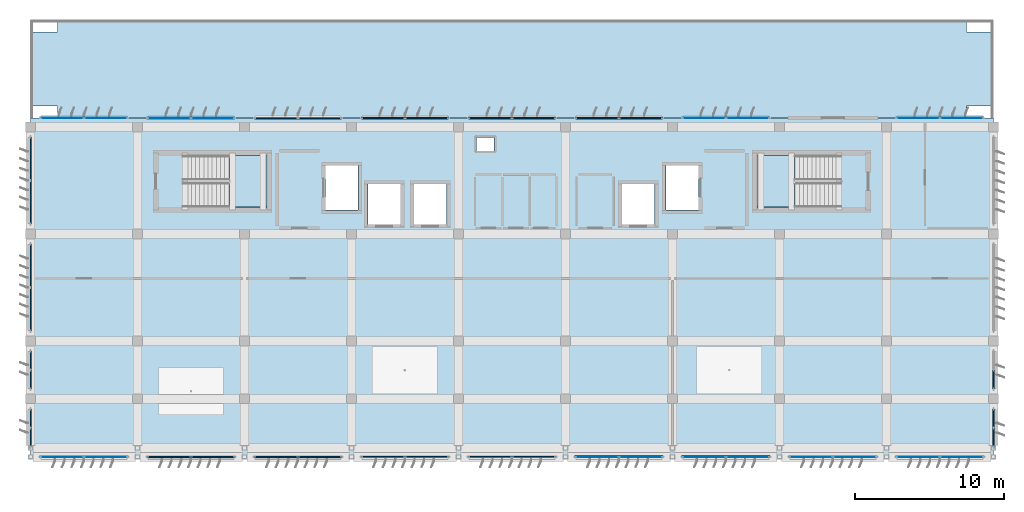
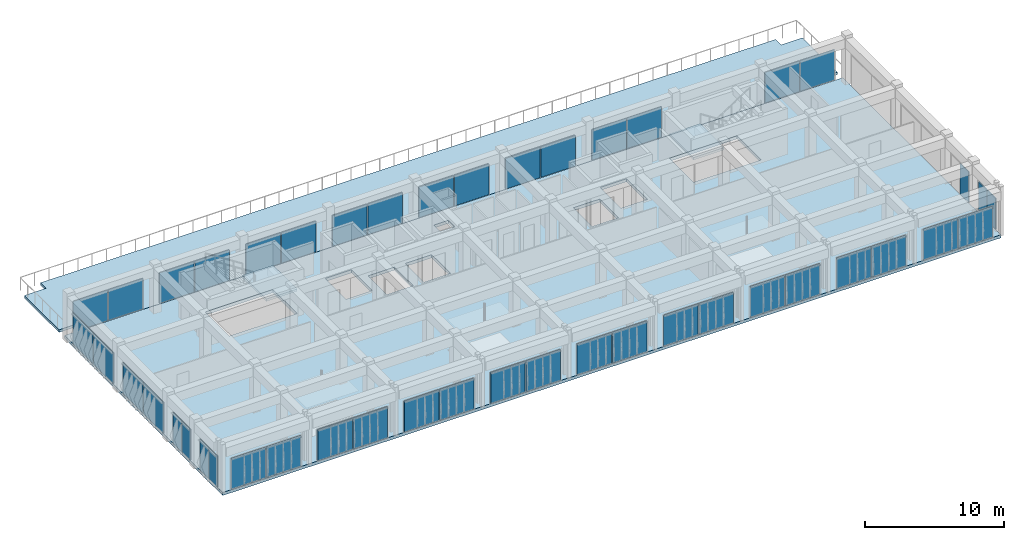
# One storey, part 27 of 42: 45 plates, 4 slabs, 25 elements without a shape of their own.
"""IFC4 building model written with IfcOpenShell, lengths in metres."""

from ifc_helpers import new_model, si_unit, direction, frame, origin, origin_2d, place, context, subcontext, project, spatial, polyline, rectangle, outline, extrude, material, layer, layer_set, type_object, element, aggregate, save


model = new_model("IFC4")

# Units and contexts
model_context = context("Model", 3, precision=1e-05, world=origin(), true_north=direction((0.0, 1.0)))
body_context = subcontext(model_context, "Body", "Model", "MODEL_VIEW")
ifc_project = project(units=[si_unit("LENGTHUNIT", "METRE"), si_unit("AREAUNIT", "SQUARE_METRE"), si_unit("VOLUMEUNIT", "CUBIC_METRE"), si_unit("PLANEANGLEUNIT", "RADIAN"), si_unit("MASSUNIT", "GRAM", prefix="KILO")], contexts=[model_context])

# Site, building, storey
site_placement = place(None, origin())
site = spatial("IfcSite", under=ifc_project, at=site_placement, CompositionType="ELEMENT")
building_placement = place(site_placement, origin())
building = spatial("IfcBuilding", under=site, at=building_placement, Name="Kazehaya Institute of Natural Sciences", CompositionType="ELEMENT")
storey_placement = place(building_placement, frame((0.0, 0.0, 37.6201171875)))
storey = spatial("IfcBuildingStorey", under=building, at=storey_placement, Name="L08", CompositionType="ELEMENT", Elevation=37.6201171875)

# Curtain wall, plates
ifc_material_1 = material(Name="Aluminium alloy A6063S-T5", Category="aluminium")
curtain_wall_type_1 = type_object("IfcCurtainWallType", Name="CW-SYS-05", PredefinedType="NOTDEFINED", material=ifc_material_1)
curtain_wall_1_placement = place(storey_placement, origin())
curtain_wall_1 = element("IfcCurtainWall", 1, at=curtain_wall_1_placement, inside=storey, type_object=curtain_wall_type_1, Name="L08 unitised curtain wall CW-L08-176", PredefinedType="NOTDEFINED")
ifc_material_2 = material(Name="Low-E double-glazed vision glass", Category="glass")
ifc_layer_1 = layer(ifc_material_2, 0.030029296875, Name="Low-E double-glazed vision glass", Category="glass")
ifc_layer_set_1 = layer_set([ifc_layer_1], Name="Low-E double-glazed vision glass")
plate_type_1 = type_object("IfcPlateType", Name="CWP-01", PredefinedType="CURTAIN_PANEL", material=ifc_layer_set_1)
plate_1_placement = place(storey_placement, frame((117.264892578125, 6.199951171875, 0.06005859375), z_axis=(0.0, 0.0, 1.0), x_axis=(-1.0, 0.0, 0.0)))
plate_1 = element("IfcPlate", 2, at=plate_1_placement, type_object=plate_type_1, Name="CW05 panel 1.1", PredefinedType="CURTAIN_PANEL", context=body_context, shape_type="SweptSolid", body=[
    extrude(rectangle(XDim=2.8701171875, YDim=0.030029296875, at=origin_2d()), origin(), (0.0, 0.0, 1.0), 2.699951171875),
])
plate_2_placement = place(storey_placement, frame((114.3349609375, 6.199951171875, 0.06005859375), z_axis=(0.0, 0.0, 1.0), x_axis=(-1.0, 0.0, 0.0)))
plate_2 = element("IfcPlate", 3, at=plate_2_placement, type_object=plate_type_1, Name="CW05 panel 2.1", PredefinedType="CURTAIN_PANEL", context=body_context, shape_type="SweptSolid", body=[
    extrude(rectangle(XDim=2.8701171875, YDim=0.030029296875, at=origin_2d()), origin(), (0.0, 0.0, 1.0), 2.699951171875),
])
aggregate(curtain_wall_1, [plate_1, plate_2])

curtain_wall_2_placement = place(storey_placement, origin())
curtain_wall_2 = element("IfcCurtainWall", 4, at=curtain_wall_2_placement, inside=storey, type_object=curtain_wall_type_1, Name="L08 unitised curtain wall CW-L08-184", PredefinedType="NOTDEFINED")
plate_3_placement = place(storey_placement, frame((59.6650390625, 6.199951171875, 0.06005859375), z_axis=(0.0, 0.0, 1.0), x_axis=(-1.0, 0.0, 0.0)))
plate_3 = element("IfcPlate", 5, at=plate_3_placement, type_object=plate_type_1, Name="CW05 panel 1.1", PredefinedType="CURTAIN_PANEL", context=body_context, shape_type="SweptSolid", body=[
    extrude(rectangle(XDim=2.8701171875, YDim=0.030029296875, at=origin_2d()), origin(), (0.0, 0.0, 1.0), 2.699951171875),
])
plate_4_placement = place(storey_placement, frame((56.735107421875, 6.199951171875, 0.06005859375), z_axis=(0.0, 0.0, 1.0), x_axis=(-1.0, 0.0, 0.0)))
plate_4 = element("IfcPlate", 6, at=plate_4_placement, type_object=plate_type_1, Name="CW05 panel 2.1", PredefinedType="CURTAIN_PANEL", context=body_context, shape_type="SweptSolid", body=[
    extrude(rectangle(XDim=2.8701171875, YDim=0.030029296875, at=origin_2d()), origin(), (0.0, 0.0, 1.0), 2.699951171875),
])
aggregate(curtain_wall_2, [plate_3, plate_4])

curtain_wall_3_placement = place(storey_placement, origin())
curtain_wall_3 = element("IfcCurtainWall", 7, at=curtain_wall_3_placement, inside=storey, type_object=curtain_wall_type_1, Name="L08 unitised curtain wall CW-L08-191", PredefinedType="NOTDEFINED")
plate_5_placement = place(storey_placement, frame((99.93505859375, 29.0, 0.06005859375), z_axis=(0.0, 0.0, 1.0), x_axis=(1.0, 0.0, 0.0)))
plate_5 = element("IfcPlate", 8, at=plate_5_placement, type_object=plate_type_1, Name="CW05 panel 1.1", PredefinedType="CURTAIN_PANEL", context=body_context, shape_type="SweptSolid", body=[
    extrude(rectangle(XDim=2.8701171875, YDim=0.030029296875, at=origin_2d()), origin(), (0.0, 0.0, 1.0), 2.699951171875),
])
plate_6_placement = place(storey_placement, frame((102.864990234375, 29.0, 0.06005859375), z_axis=(0.0, 0.0, 1.0), x_axis=(1.0, 0.0, 0.0)))
plate_6 = element("IfcPlate", 9, at=plate_6_placement, type_object=plate_type_1, Name="CW05 panel 2.1", PredefinedType="CURTAIN_PANEL", context=body_context, shape_type="SweptSolid", body=[
    extrude(rectangle(XDim=2.8701171875, YDim=0.030029296875, at=origin_2d()), origin(), (0.0, 0.0, 1.0), 2.699951171875),
])
aggregate(curtain_wall_3, [plate_5, plate_6])

curtain_wall_4_placement = place(storey_placement, origin())
curtain_wall_4 = element("IfcCurtainWall", 10, at=curtain_wall_4_placement, inside=storey, type_object=curtain_wall_type_1, Name="L08 unitised curtain wall CW-L08-177", PredefinedType="NOTDEFINED")
ifc_layer_2 = layer(ifc_material_2, 0.0400390625, Name="Low-E double-glazed vision glass", Category="glass")
ifc_layer_set_2 = layer_set([ifc_layer_2], Name="Low-E double-glazed vision glass")
plate_type_2 = type_object("IfcPlateType", Name="CWP-02", PredefinedType="CURTAIN_PANEL", material=ifc_layer_set_2)
plate_7_placement = place(storey_placement, frame((110.06494140625, 6.199951171875, 0.06005859375), z_axis=(0.0, 0.0, 1.0), x_axis=(-1.0, 0.0, 0.0)))
plate_7 = element("IfcPlate", 11, at=plate_7_placement, type_object=plate_type_2, Name="CW05 panel 1.1", PredefinedType="CURTAIN_PANEL", context=body_context, shape_type="SweptSolid", body=[
    extrude(rectangle(XDim=2.8701171875, YDim=0.0400390625, at=origin_2d()), origin(), (0.0, 0.0, 1.0), 2.699951171875),
])
plate_8_placement = place(storey_placement, frame((107.135009765625, 6.199951171875, 0.06005859375), z_axis=(0.0, 0.0, 1.0), x_axis=(-1.0, 0.0, 0.0)))
plate_8 = element("IfcPlate", 12, at=plate_8_placement, type_object=plate_type_2, Name="CW05 panel 2.1", PredefinedType="CURTAIN_PANEL", context=body_context, shape_type="SweptSolid", body=[
    extrude(rectangle(XDim=2.8701171875, YDim=0.0400390625, at=origin_2d()), origin(), (0.0, 0.0, 1.0), 2.699951171875),
])
aggregate(curtain_wall_4, [plate_7, plate_8])

curtain_wall_5_placement = place(storey_placement, origin())
curtain_wall_5 = element("IfcCurtainWall", 13, at=curtain_wall_5_placement, inside=storey, type_object=curtain_wall_type_1, Name="L08 unitised curtain wall CW-L08-178", PredefinedType="NOTDEFINED")
ifc_layer_3 = layer(ifc_material_2, 0.050048828125, Name="Low-E double-glazed vision glass", Category="glass")
ifc_layer_set_3 = layer_set([ifc_layer_3], Name="Low-E double-glazed vision glass")
plate_type_3 = type_object("IfcPlateType", Name="CWP-03", PredefinedType="CURTAIN_PANEL", material=ifc_layer_set_3)
plate_9_placement = place(storey_placement, frame((102.864990234375, 6.199951171875, 0.06005859375), z_axis=(0.0, 0.0, 1.0), x_axis=(-1.0, 0.0, 0.0)))
plate_9 = element("IfcPlate", 14, at=plate_9_placement, type_object=plate_type_3, Name="CW05 panel 1.1", PredefinedType="CURTAIN_PANEL", context=body_context, shape_type="SweptSolid", body=[
    extrude(rectangle(XDim=2.8701171875, YDim=0.050048828125, at=origin_2d()), origin(), (0.0, 0.0, 1.0), 2.699951171875),
])
plate_10_placement = place(storey_placement, frame((99.93505859375, 6.199951171875, 0.06005859375), z_axis=(0.0, 0.0, 1.0), x_axis=(-1.0, 0.0, 0.0)))
plate_10 = element("IfcPlate", 15, at=plate_10_placement, type_object=plate_type_3, Name="CW05 panel 2.1", PredefinedType="CURTAIN_PANEL", context=body_context, shape_type="SweptSolid", body=[
    extrude(rectangle(XDim=2.8701171875, YDim=0.050048828125, at=origin_2d()), origin(), (0.0, 0.0, 1.0), 2.699951171875),
])
aggregate(curtain_wall_5, [plate_9, plate_10])

curtain_wall_6_placement = place(storey_placement, origin())
curtain_wall_6 = element("IfcCurtainWall", 16, at=curtain_wall_6_placement, inside=storey, type_object=curtain_wall_type_1, Name="L08 unitised curtain wall CW-L08-185", PredefinedType="NOTDEFINED")
plate_11_placement = place(storey_placement, frame((56.735107421875, 29.0, 0.06005859375), z_axis=(0.0, 0.0, 1.0), x_axis=(1.0, 0.0, 0.0)))
plate_11 = element("IfcPlate", 17, at=plate_11_placement, type_object=plate_type_3, Name="CW05 panel 1.1", PredefinedType="CURTAIN_PANEL", context=body_context, shape_type="SweptSolid", body=[
    extrude(rectangle(XDim=2.8701171875, YDim=0.050048828125, at=origin_2d()), origin(), (0.0, 0.0, 1.0), 2.699951171875),
])
plate_12_placement = place(storey_placement, frame((59.6650390625, 29.0, 0.06005859375), z_axis=(0.0, 0.0, 1.0), x_axis=(1.0, 0.0, 0.0)))
plate_12 = element("IfcPlate", 18, at=plate_12_placement, type_object=plate_type_3, Name="CW05 panel 2.1", PredefinedType="CURTAIN_PANEL", context=body_context, shape_type="SweptSolid", body=[
    extrude(rectangle(XDim=2.8701171875, YDim=0.050048828125, at=origin_2d()), origin(), (0.0, 0.0, 1.0), 2.699951171875),
])
aggregate(curtain_wall_6, [plate_11, plate_12])

curtain_wall_7_placement = place(storey_placement, origin())
curtain_wall_7 = element("IfcCurtainWall", 19, at=curtain_wall_7_placement, inside=storey, type_object=curtain_wall_type_1, Name="L08 unitised curtain wall CW-L08-192", PredefinedType="NOTDEFINED")
plate_13_placement = place(storey_placement, frame((114.3349609375, 29.0, 0.06005859375), z_axis=(0.0, 0.0, 1.0), x_axis=(1.0, 0.0, 0.0)))
plate_13 = element("IfcPlate", 20, at=plate_13_placement, type_object=plate_type_3, Name="CW05 panel 1.1", PredefinedType="CURTAIN_PANEL", context=body_context, shape_type="SweptSolid", body=[
    extrude(rectangle(XDim=2.8701171875, YDim=0.050048828125, at=origin_2d()), origin(), (0.0, 0.0, 1.0), 2.699951171875),
])
plate_14_placement = place(storey_placement, frame((117.264892578125, 29.0, 0.06005859375), z_axis=(0.0, 0.0, 1.0), x_axis=(1.0, 0.0, 0.0)))
plate_14 = element("IfcPlate", 21, at=plate_14_placement, type_object=plate_type_3, Name="CW05 panel 2.1", PredefinedType="CURTAIN_PANEL", context=body_context, shape_type="SweptSolid", body=[
    extrude(rectangle(XDim=2.8701171875, YDim=0.050048828125, at=origin_2d()), origin(), (0.0, 0.0, 1.0), 2.699951171875),
])
aggregate(curtain_wall_7, [plate_13, plate_14])

curtain_wall_8_placement = place(storey_placement, origin())
curtain_wall_8 = element("IfcCurtainWall", 22, at=curtain_wall_8_placement, inside=storey, type_object=curtain_wall_type_1, Name="L08 unitised curtain wall CW-L08-179", PredefinedType="NOTDEFINED")
ifc_layer_4 = layer(ifc_material_2, 0.06005859375, Name="Low-E double-glazed vision glass", Category="glass")
ifc_layer_set_4 = layer_set([ifc_layer_4], Name="Low-E double-glazed vision glass")
plate_type_4 = type_object("IfcPlateType", Name="CWP-04", PredefinedType="CURTAIN_PANEL", material=ifc_layer_set_4)
plate_15_placement = place(storey_placement, frame((95.6650390625, 6.199951171875, 0.06005859375), z_axis=(0.0, 0.0, 1.0), x_axis=(-1.0, 0.0, 0.0)))
plate_15 = element("IfcPlate", 23, at=plate_15_placement, type_object=plate_type_4, Name="CW05 panel 1.1", PredefinedType="CURTAIN_PANEL", context=body_context, shape_type="SweptSolid", body=[
    extrude(rectangle(XDim=2.8701171875, YDim=0.06005859375, at=origin_2d()), origin(), (0.0, 0.0, 1.0), 2.699951171875),
])
plate_16_placement = place(storey_placement, frame((92.735107421875, 6.199951171875, 0.06005859375), z_axis=(0.0, 0.0, 1.0), x_axis=(-1.0, 0.0, 0.0)))
plate_16 = element("IfcPlate", 24, at=plate_16_placement, type_object=plate_type_4, Name="CW05 panel 2.1", PredefinedType="CURTAIN_PANEL", context=body_context, shape_type="SweptSolid", body=[
    extrude(rectangle(XDim=2.8701171875, YDim=0.06005859375, at=origin_2d()), origin(), (0.0, 0.0, 1.0), 2.699951171875),
])
aggregate(curtain_wall_8, [plate_15, plate_16])

curtain_wall_9_placement = place(storey_placement, origin())
curtain_wall_9 = element("IfcCurtainWall", 25, at=curtain_wall_9_placement, inside=storey, type_object=curtain_wall_type_1, Name="L08 unitised curtain wall CW-L08-186", PredefinedType="NOTDEFINED")
plate_17_placement = place(storey_placement, frame((63.93505859375, 29.0, 0.06005859375), z_axis=(0.0, 0.0, 1.0), x_axis=(1.0, 0.0, 0.0)))
plate_17 = element("IfcPlate", 26, at=plate_17_placement, type_object=plate_type_4, Name="CW05 panel 1.1", PredefinedType="CURTAIN_PANEL", context=body_context, shape_type="SweptSolid", body=[
    extrude(rectangle(XDim=2.8701171875, YDim=0.06005859375, at=origin_2d()), origin(), (0.0, 0.0, 1.0), 2.699951171875),
])
plate_18_placement = place(storey_placement, frame((66.864990234375, 29.0, 0.06005859375), z_axis=(0.0, 0.0, 1.0), x_axis=(1.0, 0.0, 0.0)))
plate_18 = element("IfcPlate", 27, at=plate_18_placement, type_object=plate_type_4, Name="CW05 panel 2.1", PredefinedType="CURTAIN_PANEL", context=body_context, shape_type="SweptSolid", body=[
    extrude(rectangle(XDim=2.8701171875, YDim=0.06005859375, at=origin_2d()), origin(), (0.0, 0.0, 1.0), 2.699951171875),
])
aggregate(curtain_wall_9, [plate_17, plate_18])

curtain_wall_10_placement = place(storey_placement, origin())
curtain_wall_10 = element("IfcCurtainWall", 28, at=curtain_wall_10_placement, inside=storey, type_object=curtain_wall_type_1, Name="L08 unitised curtain wall CW-L08-180", PredefinedType="NOTDEFINED")
ifc_material_3 = material(Name="Insulated bronze aluminium spandrel panel", Category="aluminium")
ifc_layer_5 = layer(ifc_material_3, 0.070068359375, Name="Insulated bronze aluminium spandrel panel", Category="aluminium")
ifc_layer_set_5 = layer_set([ifc_layer_5], Name="Insulated bronze aluminium spandrel panel")
plate_type_5 = type_object("IfcPlateType", Name="CWP-05", PredefinedType="CURTAIN_PANEL", material=ifc_layer_set_5)
plate_19_placement = place(storey_placement, frame((88.465087890625, 6.199951171875, 0.06005859375), z_axis=(0.0, 0.0, 1.0), x_axis=(-1.0, 0.0, 0.0)))
plate_19 = element("IfcPlate", 29, at=plate_19_placement, type_object=plate_type_5, Name="CW05 panel 1.1", PredefinedType="CURTAIN_PANEL", context=body_context, shape_type="SweptSolid", body=[
    extrude(rectangle(XDim=2.8701171875, YDim=0.070068359375, at=origin_2d()), origin(), (0.0, 0.0, 1.0), 2.699951171875),
])
plate_20_placement = place(storey_placement, frame((85.534912109375, 6.199951171875, 0.06005859375), z_axis=(0.0, 0.0, 1.0), x_axis=(-1.0, 0.0, 0.0)))
plate_20 = element("IfcPlate", 30, at=plate_20_placement, type_object=plate_type_5, Name="CW05 panel 2.1", PredefinedType="CURTAIN_PANEL", context=body_context, shape_type="SweptSolid", body=[
    extrude(rectangle(XDim=2.8701171875, YDim=0.070068359375, at=origin_2d()), origin(), (0.0, 0.0, 1.0), 2.699951171875),
])
aggregate(curtain_wall_10, [plate_19, plate_20])

curtain_wall_11_placement = place(storey_placement, origin())
curtain_wall_11 = element("IfcCurtainWall", 31, at=curtain_wall_11_placement, inside=storey, type_object=curtain_wall_type_1, Name="L08 unitised curtain wall CW-L08-187", PredefinedType="NOTDEFINED")
plate_21_placement = place(storey_placement, frame((71.135009765625, 29.0, 0.06005859375), z_axis=(0.0, 0.0, 1.0), x_axis=(1.0, 0.0, 0.0)))
plate_21 = element("IfcPlate", 32, at=plate_21_placement, type_object=plate_type_5, Name="CW05 panel 1.1", PredefinedType="CURTAIN_PANEL", context=body_context, shape_type="SweptSolid", body=[
    extrude(rectangle(XDim=2.8701171875, YDim=0.070068359375, at=origin_2d()), origin(), (0.0, 0.0, 1.0), 2.699951171875),
])
plate_22_placement = place(storey_placement, frame((74.06494140625, 29.0, 0.06005859375), z_axis=(0.0, 0.0, 1.0), x_axis=(1.0, 0.0, 0.0)))
plate_22 = element("IfcPlate", 33, at=plate_22_placement, type_object=plate_type_5, Name="CW05 panel 2.1", PredefinedType="CURTAIN_PANEL", context=body_context, shape_type="SweptSolid", body=[
    extrude(rectangle(XDim=2.8701171875, YDim=0.070068359375, at=origin_2d()), origin(), (0.0, 0.0, 1.0), 2.699951171875),
])
aggregate(curtain_wall_11, [plate_21, plate_22])

curtain_wall_type_2 = type_object("IfcCurtainWallType", Name="CW-SYS-09", PredefinedType="NOTDEFINED", material=ifc_material_1)
curtain_wall_12_placement = place(storey_placement, origin())
curtain_wall_12 = element("IfcCurtainWall", 34, at=curtain_wall_12_placement, inside=storey, type_object=curtain_wall_type_2, Name="L08 unitised curtain wall CW-L08-193", PredefinedType="NOTDEFINED")
plate_23_placement = place(storey_placement, frame((54.60009765625, 7.510009765625, 0.06005859375), z_axis=(0.0, 0.0, 1.0), x_axis=(0.0, 1.0, 0.0)))
plate_23 = element("IfcPlate", 35, at=plate_23_placement, type_object=plate_type_5, Name="CW09 panel 1.1", PredefinedType="CURTAIN_PANEL", context=body_context, shape_type="SweptSolid", body=[
    extrude(rectangle(XDim=1.219970703125, YDim=0.070068359375, at=origin_2d()), origin(), (0.0, 0.0, 1.0), 2.699951171875),
])
plate_24_placement = place(storey_placement, frame((54.60009765625, 8.7900390625, 0.06005859375), z_axis=(0.0, 0.0, 1.0), x_axis=(0.0, 1.0, 0.0)))
plate_24 = element("IfcPlate", 36, at=plate_24_placement, type_object=plate_type_5, Name="CW09 panel 2.1", PredefinedType="CURTAIN_PANEL", context=body_context, shape_type="SweptSolid", body=[
    extrude(rectangle(XDim=1.219970703125, YDim=0.070068359375, at=origin_2d()), origin(), (0.0, 0.0, 1.0), 2.699951171875),
])
aggregate(curtain_wall_12, [plate_23, plate_24])

curtain_wall_13_placement = place(storey_placement, origin())
curtain_wall_13 = element("IfcCurtainWall", 37, at=curtain_wall_13_placement, inside=storey, type_object=curtain_wall_type_2, Name="L08 unitised curtain wall CW-L08-195", PredefinedType="NOTDEFINED")
plate_25_placement = place(storey_placement, frame((54.60009765625, 11.409912109375, 0.06005859375), z_axis=(0.0, 0.0, 1.0), x_axis=(0.0, 1.0, 0.0)))
plate_25 = element("IfcPlate", 38, at=plate_25_placement, type_object=plate_type_5, Name="CW09 panel 1.1", PredefinedType="CURTAIN_PANEL", context=body_context, shape_type="SweptSolid", body=[
    extrude(rectangle(XDim=1.219970703125, YDim=0.070068359375, at=origin_2d()), origin(), (0.0, 0.0, 1.0), 2.699951171875),
])
plate_26_placement = place(storey_placement, frame((54.60009765625, 12.68994140625, 0.06005859375), z_axis=(0.0, 0.0, 1.0), x_axis=(0.0, 1.0, 0.0)))
plate_26 = element("IfcPlate", 39, at=plate_26_placement, type_object=plate_type_5, Name="CW09 panel 2.1", PredefinedType="CURTAIN_PANEL", context=body_context, shape_type="SweptSolid", body=[
    extrude(rectangle(XDim=1.219970703125, YDim=0.070068359375, at=origin_2d()), origin(), (0.0, 0.0, 1.0), 2.699951171875),
])
aggregate(curtain_wall_13, [plate_25, plate_26])

curtain_wall_type_3 = type_object("IfcCurtainWallType", Name="CW-SYS-10", PredefinedType="NOTDEFINED", material=ifc_material_1)
curtain_wall_14_placement = place(storey_placement, origin())
curtain_wall_14 = element("IfcCurtainWall", 40, at=curtain_wall_14_placement, inside=storey, type_object=curtain_wall_type_3, Name="L08 unitised curtain wall CW-L08-197", PredefinedType="NOTDEFINED")
plate_27_placement = place(storey_placement, frame((54.60009765625, 16.135009765625, 0.06005859375), z_axis=(0.0, 0.0, 1.0), x_axis=(0.0, 1.0, 0.0)))
plate_27 = element("IfcPlate", 41, at=plate_27_placement, type_object=plate_type_5, Name="CW10 panel 1.1", PredefinedType="CURTAIN_PANEL", context=body_context, shape_type="SweptSolid", body=[
    extrude(rectangle(XDim=2.8701171875, YDim=0.070068359375, at=origin_2d()), origin(), (0.0, 0.0, 1.0), 2.699951171875),
])
plate_28_placement = place(storey_placement, frame((54.60009765625, 19.06494140625, 0.06005859375), z_axis=(0.0, 0.0, 1.0), x_axis=(0.0, 1.0, 0.0)))
plate_28 = element("IfcPlate", 42, at=plate_28_placement, type_object=plate_type_5, Name="CW10 panel 2.1", PredefinedType="CURTAIN_PANEL", context=body_context, shape_type="SweptSolid", body=[
    extrude(rectangle(XDim=2.8701171875, YDim=0.070068359375, at=origin_2d()), origin(), (0.0, 0.0, 1.0), 2.699951171875),
])
aggregate(curtain_wall_14, [plate_27, plate_28])

curtain_wall_15_placement = place(storey_placement, origin())
curtain_wall_15 = element("IfcCurtainWall", 43, at=curtain_wall_15_placement, inside=storey, type_object=curtain_wall_type_3, Name="L08 unitised curtain wall CW-L08-199", PredefinedType="NOTDEFINED")
plate_29_placement = place(storey_placement, frame((54.60009765625, 23.3349609375, 0.06005859375), z_axis=(0.0, 0.0, 1.0), x_axis=(0.0, 1.0, 0.0)))
plate_29 = element("IfcPlate", 44, at=plate_29_placement, type_object=plate_type_5, Name="CW10 panel 1.1", PredefinedType="CURTAIN_PANEL", context=body_context, shape_type="SweptSolid", body=[
    extrude(rectangle(XDim=2.8701171875, YDim=0.070068359375, at=origin_2d()), origin(), (0.0, 0.0, 1.0), 2.699951171875),
])
plate_30_placement = place(storey_placement, frame((54.60009765625, 26.264892578125, 0.06005859375), z_axis=(0.0, 0.0, 1.0), x_axis=(0.0, 1.0, 0.0)))
plate_30 = element("IfcPlate", 45, at=plate_30_placement, type_object=plate_type_5, Name="CW10 panel 2.1", PredefinedType="CURTAIN_PANEL", context=body_context, shape_type="SweptSolid", body=[
    extrude(rectangle(XDim=2.8701171875, YDim=0.070068359375, at=origin_2d()), origin(), (0.0, 0.0, 1.0), 2.699951171875),
])
aggregate(curtain_wall_15, [plate_29, plate_30])

curtain_wall_16_placement = place(storey_placement, origin())
curtain_wall_16 = element("IfcCurtainWall", 46, at=curtain_wall_16_placement, inside=storey, type_object=curtain_wall_type_1, Name="L08 unitised curtain wall CW-L08-181", PredefinedType="NOTDEFINED")
ifc_layer_6 = layer(ifc_material_3, 0.080078125, Name="Insulated bronze aluminium spandrel panel", Category="aluminium")
ifc_layer_set_6 = layer_set([ifc_layer_6], Name="Insulated bronze aluminium spandrel panel")
plate_type_6 = type_object("IfcPlateType", Name="CWP-06", PredefinedType="CURTAIN_PANEL", material=ifc_layer_set_6)
plate_31_placement = place(storey_placement, frame((81.264892578125, 6.199951171875, 0.06005859375), z_axis=(0.0, 0.0, 1.0), x_axis=(-1.0, 0.0, 0.0)))
plate_31 = element("IfcPlate", 47, at=plate_31_placement, type_object=plate_type_6, Name="CW05 panel 1.1", PredefinedType="CURTAIN_PANEL", context=body_context, shape_type="SweptSolid", body=[
    extrude(rectangle(XDim=2.8701171875, YDim=0.080078125, at=origin_2d()), origin(), (0.0, 0.0, 1.0), 2.699951171875),
])
plate_32_placement = place(storey_placement, frame((78.3349609375, 6.199951171875, 0.06005859375), z_axis=(0.0, 0.0, 1.0), x_axis=(-1.0, 0.0, 0.0)))
plate_32 = element("IfcPlate", 48, at=plate_32_placement, type_object=plate_type_6, Name="CW05 panel 2.1", PredefinedType="CURTAIN_PANEL", context=body_context, shape_type="SweptSolid", body=[
    extrude(rectangle(XDim=2.8701171875, YDim=0.080078125, at=origin_2d()), origin(), (0.0, 0.0, 1.0), 2.699951171875),
])
aggregate(curtain_wall_16, [plate_31, plate_32])

curtain_wall_17_placement = place(storey_placement, origin())
curtain_wall_17 = element("IfcCurtainWall", 49, at=curtain_wall_17_placement, inside=storey, type_object=curtain_wall_type_1, Name="L08 unitised curtain wall CW-L08-188", PredefinedType="NOTDEFINED")
plate_33_placement = place(storey_placement, frame((78.3349609375, 29.0, 0.06005859375), z_axis=(0.0, 0.0, 1.0), x_axis=(1.0, 0.0, 0.0)))
plate_33 = element("IfcPlate", 50, at=plate_33_placement, type_object=plate_type_6, Name="CW05 panel 1.1", PredefinedType="CURTAIN_PANEL", context=body_context, shape_type="SweptSolid", body=[
    extrude(rectangle(XDim=2.8701171875, YDim=0.080078125, at=origin_2d()), origin(), (0.0, 0.0, 1.0), 2.699951171875),
])
plate_34_placement = place(storey_placement, frame((81.264892578125, 29.0, 0.06005859375), z_axis=(0.0, 0.0, 1.0), x_axis=(1.0, 0.0, 0.0)))
plate_34 = element("IfcPlate", 51, at=plate_34_placement, type_object=plate_type_6, Name="CW05 panel 2.1", PredefinedType="CURTAIN_PANEL", context=body_context, shape_type="SweptSolid", body=[
    extrude(rectangle(XDim=2.8701171875, YDim=0.080078125, at=origin_2d()), origin(), (0.0, 0.0, 1.0), 2.699951171875),
])
aggregate(curtain_wall_17, [plate_33, plate_34])

curtain_wall_18_placement = place(storey_placement, origin())
curtain_wall_18 = element("IfcCurtainWall", 52, at=curtain_wall_18_placement, inside=storey, type_object=curtain_wall_type_2, Name="L08 unitised curtain wall CW-L08-194", PredefinedType="NOTDEFINED")
plate_35_placement = place(storey_placement, frame((119.39990234375, 8.7900390625, 0.06005859375), z_axis=(0.0, 0.0, 1.0), x_axis=(0.0, -1.0, 0.0)))
plate_35 = element("IfcPlate", 53, at=plate_35_placement, type_object=plate_type_6, Name="CW09 panel 1.1", PredefinedType="CURTAIN_PANEL", context=body_context, shape_type="SweptSolid", body=[
    extrude(rectangle(XDim=1.219970703125, YDim=0.080078125, at=origin_2d()), origin(), (0.0, 0.0, 1.0), 2.699951171875),
])
plate_36_placement = place(storey_placement, frame((119.39990234375, 7.510009765625, 0.06005859375), z_axis=(0.0, 0.0, 1.0), x_axis=(0.0, -1.0, 0.0)))
plate_36 = element("IfcPlate", 54, at=plate_36_placement, type_object=plate_type_6, Name="CW09 panel 2.1", PredefinedType="CURTAIN_PANEL", context=body_context, shape_type="SweptSolid", body=[
    extrude(rectangle(XDim=1.219970703125, YDim=0.080078125, at=origin_2d()), origin(), (0.0, 0.0, 1.0), 2.699951171875),
])
aggregate(curtain_wall_18, [plate_35, plate_36])

# Curtain wall, plate
curtain_wall_19_placement = place(storey_placement, origin())
curtain_wall_19 = element("IfcCurtainWall", 55, at=curtain_wall_19_placement, inside=storey, type_object=curtain_wall_type_2, Name="L08 unitised curtain wall CW-L08-196", PredefinedType="NOTDEFINED")
plate_37_placement = place(storey_placement, frame((119.39990234375, 11.409912109375, 0.06005859375), z_axis=(0.0, 0.0, 1.0), x_axis=(0.0, -1.0, 0.0)))
plate_37 = element("IfcPlate", 56, at=plate_37_placement, type_object=plate_type_6, Name="CW09 panel 2.1", PredefinedType="CURTAIN_PANEL", context=body_context, shape_type="SweptSolid", body=[
    extrude(rectangle(XDim=1.219970703125, YDim=0.080078125, at=origin_2d()), origin(), (0.0, 0.0, 1.0), 2.699951171875),
])
aggregate(curtain_wall_19, [plate_37])

# Curtain wall, plates
curtain_wall_20_placement = place(storey_placement, origin())
curtain_wall_20 = element("IfcCurtainWall", 57, at=curtain_wall_20_placement, inside=storey, type_object=curtain_wall_type_1, Name="L08 unitised curtain wall CW-L08-182", PredefinedType="NOTDEFINED")
ifc_layer_7 = layer(ifc_material_3, 0.090087890625, Name="Insulated bronze aluminium spandrel panel", Category="aluminium")
ifc_layer_set_7 = layer_set([ifc_layer_7], Name="Insulated bronze aluminium spandrel panel")
plate_type_7 = type_object("IfcPlateType", Name="CWP-07", PredefinedType="CURTAIN_PANEL", material=ifc_layer_set_7)
plate_38_placement = place(storey_placement, frame((74.06494140625, 6.199951171875, 0.06005859375), z_axis=(0.0, 0.0, 1.0), x_axis=(-1.0, 0.0, 0.0)))
plate_38 = element("IfcPlate", 58, at=plate_38_placement, type_object=plate_type_7, Name="CW05 panel 1.1", PredefinedType="CURTAIN_PANEL", context=body_context, shape_type="SweptSolid", body=[
    extrude(rectangle(XDim=2.8701171875, YDim=0.090087890625, at=origin_2d()), origin(), (0.0, 0.0, 1.0), 2.699951171875),
])
plate_39_placement = place(storey_placement, frame((71.135009765625, 6.199951171875, 0.06005859375), z_axis=(0.0, 0.0, 1.0), x_axis=(-1.0, 0.0, 0.0)))
plate_39 = element("IfcPlate", 59, at=plate_39_placement, type_object=plate_type_7, Name="CW05 panel 2.1", PredefinedType="CURTAIN_PANEL", context=body_context, shape_type="SweptSolid", body=[
    extrude(rectangle(XDim=2.8701171875, YDim=0.090087890625, at=origin_2d()), origin(), (0.0, 0.0, 1.0), 2.699951171875),
])
aggregate(curtain_wall_20, [plate_38, plate_39])

curtain_wall_21_placement = place(storey_placement, origin())
curtain_wall_21 = element("IfcCurtainWall", 60, at=curtain_wall_21_placement, inside=storey, type_object=curtain_wall_type_1, Name="L08 unitised curtain wall CW-L08-189", PredefinedType="NOTDEFINED")
plate_40_placement = place(storey_placement, frame((85.534912109375, 29.0, 0.06005859375), z_axis=(0.0, 0.0, 1.0), x_axis=(1.0, 0.0, 0.0)))
plate_40 = element("IfcPlate", 61, at=plate_40_placement, type_object=plate_type_7, Name="CW05 panel 1.1", PredefinedType="CURTAIN_PANEL", context=body_context, shape_type="SweptSolid", body=[
    extrude(rectangle(XDim=2.8701171875, YDim=0.090087890625, at=origin_2d()), origin(), (0.0, 0.0, 1.0), 2.699951171875),
])
plate_41_placement = place(storey_placement, frame((88.465087890625, 29.0, 0.06005859375), z_axis=(0.0, 0.0, 1.0), x_axis=(1.0, 0.0, 0.0)))
plate_41 = element("IfcPlate", 62, at=plate_41_placement, type_object=plate_type_7, Name="CW05 panel 2.1", PredefinedType="CURTAIN_PANEL", context=body_context, shape_type="SweptSolid", body=[
    extrude(rectangle(XDim=2.8701171875, YDim=0.090087890625, at=origin_2d()), origin(), (0.0, 0.0, 1.0), 2.699951171875),
])
aggregate(curtain_wall_21, [plate_40, plate_41])

curtain_wall_22_placement = place(storey_placement, origin())
curtain_wall_22 = element("IfcCurtainWall", 63, at=curtain_wall_22_placement, inside=storey, type_object=curtain_wall_type_1, Name="L08 unitised curtain wall CW-L08-183", PredefinedType="NOTDEFINED")
ifc_layer_8 = layer(ifc_material_3, 0.10009765625, Name="Insulated bronze aluminium spandrel panel", Category="aluminium")
ifc_layer_set_8 = layer_set([ifc_layer_8], Name="Insulated bronze aluminium spandrel panel")
plate_type_8 = type_object("IfcPlateType", Name="CWP-08", PredefinedType="CURTAIN_PANEL", material=ifc_layer_set_8)
plate_42_placement = place(storey_placement, frame((66.864990234375, 6.199951171875, 0.06005859375), z_axis=(0.0, 0.0, 1.0), x_axis=(-1.0, 0.0, 0.0)))
plate_42 = element("IfcPlate", 64, at=plate_42_placement, type_object=plate_type_8, Name="CW05 panel 1.1", PredefinedType="CURTAIN_PANEL", context=body_context, shape_type="SweptSolid", body=[
    extrude(rectangle(XDim=2.8701171875, YDim=0.10009765625, at=origin_2d()), origin(), (0.0, 0.0, 1.0), 2.699951171875),
])
plate_43_placement = place(storey_placement, frame((63.93505859375, 6.199951171875, 0.06005859375), z_axis=(0.0, 0.0, 1.0), x_axis=(-1.0, 0.0, 0.0)))
plate_43 = element("IfcPlate", 65, at=plate_43_placement, type_object=plate_type_8, Name="CW05 panel 2.1", PredefinedType="CURTAIN_PANEL", context=body_context, shape_type="SweptSolid", body=[
    extrude(rectangle(XDim=2.8701171875, YDim=0.10009765625, at=origin_2d()), origin(), (0.0, 0.0, 1.0), 2.699951171875),
])
aggregate(curtain_wall_22, [plate_42, plate_43])

curtain_wall_23_placement = place(storey_placement, origin())
curtain_wall_23 = element("IfcCurtainWall", 66, at=curtain_wall_23_placement, inside=storey, type_object=curtain_wall_type_1, Name="L08 unitised curtain wall CW-L08-190", PredefinedType="NOTDEFINED")
plate_44_placement = place(storey_placement, frame((92.735107421875, 29.0, 0.06005859375), z_axis=(0.0, 0.0, 1.0), x_axis=(1.0, 0.0, 0.0)))
plate_44 = element("IfcPlate", 67, at=plate_44_placement, type_object=plate_type_8, Name="CW05 panel 1.1", PredefinedType="CURTAIN_PANEL", context=body_context, shape_type="SweptSolid", body=[
    extrude(rectangle(XDim=2.8701171875, YDim=0.10009765625, at=origin_2d()), origin(), (0.0, 0.0, 1.0), 2.699951171875),
])
plate_45_placement = place(storey_placement, frame((95.6650390625, 29.0, 0.06005859375), z_axis=(0.0, 0.0, 1.0), x_axis=(1.0, 0.0, 0.0)))
plate_45 = element("IfcPlate", 68, at=plate_45_placement, type_object=plate_type_8, Name="CW05 panel 2.1", PredefinedType="CURTAIN_PANEL", context=body_context, shape_type="SweptSolid", body=[
    extrude(rectangle(XDim=2.8701171875, YDim=0.10009765625, at=origin_2d()), origin(), (0.0, 0.0, 1.0), 2.699951171875),
])
aggregate(curtain_wall_23, [plate_44, plate_45])

# Slab
ifc_material_4 = material(Name="Concrete Fc36", Category="concrete")
ifc_layer_9 = layer(ifc_material_4, 0.27001953125, Name="Concrete Fc36", Category="concrete")
ifc_layer_set_9 = layer_set([ifc_layer_9], Name="Concrete Fc36")
slab_type_1 = type_object("IfcSlabType", Name="SL-FLR-270", PredefinedType="FLOOR", material=ifc_layer_set_9)
slab_1_placement = place(storey_placement, frame((0.0, 0.0, -0.27001953125)))
element("IfcSlab", 69, at=slab_1_placement, inside=storey, type_object=slab_type_1, Name="L08 structural slab L08-VOL4", PredefinedType="FLOOR", context=body_context, shape_type="SweptSolid", body=[
    extrude(outline(polyline([(54.60009765625, 6.199951171875), (119.39990234375, 6.199951171875), (119.39990234375, 29.0), (54.60009765625, 29.0), (54.60009765625, 6.199951171875)]), holes=[polyline([(84.60009765625, 26.800048828125), (85.800048828125, 26.800048828125), (85.800048828125, 27.699951171875), (84.60009765625, 27.699951171875), (84.60009765625, 26.800048828125)]), polyline([(64.860107421875, 23.0), (70.5, 23.0), (70.5, 26.47998046875), (64.860107421875, 26.47998046875), (64.860107421875, 23.0)]), polyline([(103.5, 23.0), (109.139892578125, 23.0), (109.139892578125, 26.47998046875), (103.5, 26.47998046875), (103.5, 23.0)]), polyline([(74.449951171875, 22.800048828125), (76.64990234375, 22.800048828125), (76.64990234375, 25.800048828125), (74.449951171875, 25.800048828125), (74.449951171875, 22.800048828125)]), polyline([(97.35009765625, 22.800048828125), (99.550048828125, 22.800048828125), (99.550048828125, 25.800048828125), (97.35009765625, 25.800048828125), (97.35009765625, 22.800048828125)]), polyline([(77.300048828125, 21.85009765625), (79.5, 21.85009765625), (79.5, 24.550048828125), (77.300048828125, 24.550048828125), (77.300048828125, 21.85009765625)]), polyline([(80.39990234375, 21.85009765625), (82.60009765625, 21.85009765625), (82.60009765625, 24.550048828125), (80.39990234375, 24.550048828125), (80.39990234375, 21.85009765625)]), polyline([(94.39990234375, 21.85009765625), (96.60009765625, 21.85009765625), (96.60009765625, 24.550048828125), (94.39990234375, 24.550048828125), (94.39990234375, 21.85009765625)])]), origin(), (0.0, 0.0, 1.0), 0.27001953125),
])

# Stair, slab
stair_type = type_object("IfcStairType", Name="STR-DOG-4320", PredefinedType="HALF_TURN_STAIR", material=ifc_material_4)
stair_1_placement = place(storey_placement, origin())
stair_1 = element("IfcStair", 70, at=stair_1_placement, inside=storey, type_object=stair_type, Name="L08 Protected Escape Stair ST-1", PredefinedType="HALF_TURN_STAIR")
ifc_layer_10 = layer(ifc_material_4, 0.159912109375, Name="Concrete Fc36", Category="concrete")
ifc_layer_set_10 = layer_set([ifc_layer_10], Name="Concrete Fc36")
slab_type_2 = type_object("IfcSlabType", Name="SL-LND-160", PredefinedType="LANDING", material=ifc_layer_set_10)
slab_2_placement = place(storey_placement, frame((0.0, 0.0, 1.9599609375)))
slab_2 = element("IfcSlab", 71, at=slab_2_placement, type_object=slab_type_2, Name="ST-1 landing 1", PredefinedType="LANDING", context=body_context, shape_type="SweptSolid", body=[
    extrude(outline(polyline([(67.93994140625, 23.0), (70.5, 23.0), (70.5, 26.47998046875), (67.93994140625, 26.47998046875), (67.93994140625, 23.0)])), origin(), (0.0, 0.0, 1.0), 0.199951171875),
])
aggregate(stair_1, [slab_2])

stair_2_placement = place(storey_placement, origin())
stair_2 = element("IfcStair", 72, at=stair_2_placement, inside=storey, type_object=stair_type, Name="L08 Protected Escape Stair ST-2", PredefinedType="HALF_TURN_STAIR")
slab_3_placement = place(storey_placement, frame((0.0, 0.0, 1.9599609375)))
slab_3 = element("IfcSlab", 73, at=slab_3_placement, type_object=slab_type_2, Name="ST-2 landing 1", PredefinedType="LANDING", context=body_context, shape_type="SweptSolid", body=[
    extrude(outline(polyline([(106.06005859375, 26.47998046875), (103.5, 26.47998046875), (103.5, 23.0), (106.06005859375, 23.0), (106.06005859375, 26.47998046875)])), origin(), (0.0, 0.0, 1.0), 0.199951171875),
])
aggregate(stair_2, [slab_3])

# Slab
ifc_layer_11 = layer(ifc_material_4, 0.219970703125, Name="Concrete Fc36", Category="concrete")
ifc_layer_set_11 = layer_set([ifc_layer_11], Name="Concrete Fc36")
slab_type_3 = type_object("IfcSlabType", Name="SL-TER-220", PredefinedType="FLOOR", material=ifc_layer_set_11)
slab_4_placement = place(storey_placement, frame((0.0, 0.0, -0.22021484375)))
element("IfcSlab", 74, at=slab_4_placement, inside=storey, type_object=slab_type_3, Name="L08 outdoor terrace slab EXT-L08-TERN", PredefinedType="FLOOR", context=body_context, shape_type="SweptSolid", body=[
    extrude(outline(polyline([(56.39990234375, 29.0), (117.60009765625, 29.0), (117.60009765625, 29.800048828125), (119.39990234375, 29.800048828125), (119.39990234375, 34.800048828125), (117.60009765625, 34.800048828125), (117.60009765625, 35.60009765625), (56.39990234375, 35.60009765625), (56.39990234375, 34.800048828125), (54.60009765625, 34.800048828125), (54.60009765625, 29.800048828125), (56.39990234375, 29.800048828125), (56.39990234375, 29.0)])), origin(), (0.0, 0.0, 1.0), 0.22021484375),
])

save(model, "model.ifc")
